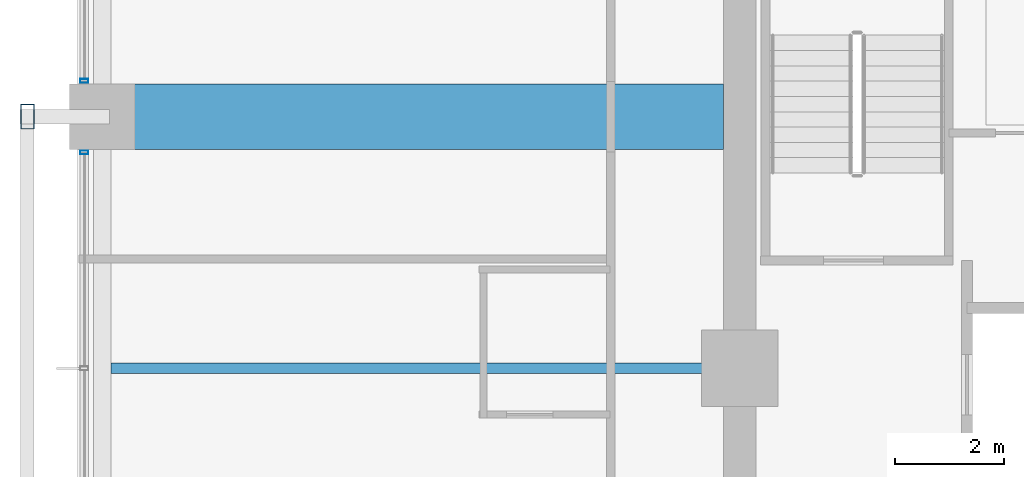
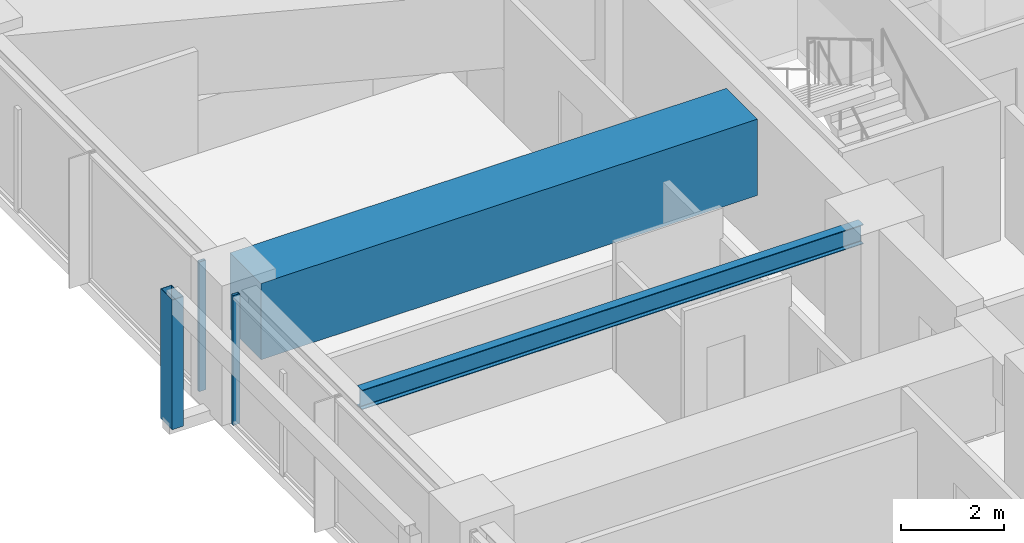
# One storey, part 9 of 37: 3 members, 2 beams, 2 elements without a shape of their own.
"""IFC4 building model written with IfcOpenShell, lengths in metres."""

import ifcopenshell
import ifcopenshell.guid

model = None  # the IFC model being written
_history = None  # IfcOwnerHistory: only IFC2X3 demands one
_inside = {}  # id of a spatial element -> (the spatial element, [elements in it])
_under = {}  # id of a project, library or spatial element -> (it, [spatial elements below it])
_declared = {}  # id of a project -> (the project, [libraries it declares])
_typed = {}  # id of a type object -> (the type object, [elements of that type])
_made_of = {}  # id of a material, layer set ... -> (it, [elements and type objects made of it])


def new_model(schema):
    """Start an empty IFC model of exactly this schema.

    Asked for "IFC4X3", IfcOpenShell would pick the latest addendum, in which some entities
    have other attributes; the version numbers below select the first issue.
    IFC2X3 requires an IfcOwnerHistory on every rooted entity: one is made here for all.
    """
    global model, _history
    if schema == "IFC4X3":
        model = ifcopenshell.file(schema_version=(4, 3, 0, 0))
    else:
        model = ifcopenshell.file(schema=schema)
    _inside.clear()
    _under.clear()
    _declared.clear()
    _typed.clear()
    _made_of.clear()
    _history = None
    if model.schema == "IFC2X3":
        org = make("IfcOrganization", Name="unknown")
        user = make(
            "IfcPersonAndOrganization",
            ThePerson=make("IfcPerson", FamilyName="unknown"),
            TheOrganization=org,
        )
        app = make(
            "IfcApplication",
            ApplicationDeveloper=org,
            Version="unknown",
            ApplicationFullName="unknown",
            ApplicationIdentifier="unknown",
        )
        _history = make(
            "IfcOwnerHistory",
            OwningUser=user,
            OwningApplication=app,
            ChangeAction="ADDED",
            CreationDate=0,
        )
    return model


def make(cls, **values):
    """One entity of the class cls with the attributes given. An attribute that is None is left unset."""
    return model.create_entity(
        cls, **{name: value for name, value in values.items() if value is not None}
    )


def rooted(cls, **values):
    """An entity with a GlobalId (a new one), such as an element, a storey or a relation."""
    return make(cls, GlobalId=ifcopenshell.guid.new(), OwnerHistory=_history, **values)


def si_unit(unit_type, name, prefix=None):
    """IfcSIUnit, for example si_unit("LENGTHUNIT", "METRE", prefix="MILLI")."""
    return make("IfcSIUnit", UnitType=unit_type, Prefix=prefix, Name=name)


def assignment(units):
    """IfcUnitAssignment: the units of a project."""
    return None if units is None else make("IfcUnitAssignment", Units=units)


def point(xyz):
    """IfcCartesianPoint."""
    return None if xyz is None else make("IfcCartesianPoint", Coordinates=xyz)


def direction(xyz):
    """IfcDirection."""
    return None if xyz is None else make("IfcDirection", DirectionRatios=xyz)


def frame(location, z_axis=None, x_axis=None):
    """IfcAxis2Placement3D, a coordinate frame: its origin and axes. An axis left out is left unset."""
    return make(
        "IfcAxis2Placement3D",
        Location=point(location),
        Axis=direction(z_axis),
        RefDirection=direction(x_axis),
    )


def frame_2d(location, x_axis=None):
    """IfcAxis2Placement2D, a coordinate frame in the plane: its origin and x axis."""
    return make(
        "IfcAxis2Placement2D", Location=point(location), RefDirection=direction(x_axis)
    )


def origin():
    """The frame at (0, 0, 0) with its axes left unset."""
    return frame((0.0, 0.0, 0.0))


def origin_2d():
    """The frame at (0, 0) in the plane with its x axis left unset."""
    return frame_2d((0.0, 0.0))


def place(relative_to, where):
    """IfcLocalPlacement: puts the frame where relative to a parent placement (None: the world)."""
    return make(
        "IfcLocalPlacement", PlacementRelTo=relative_to, RelativePlacement=where
    )


def context(
    kind, dimensions, precision=None, world=None, true_north=None, identifier=None
):
    """IfcGeometricRepresentationContext, for example the 3D "Model" context."""
    return make(
        "IfcGeometricRepresentationContext",
        ContextIdentifier=identifier,
        ContextType=kind,
        CoordinateSpaceDimension=dimensions,
        Precision=precision,
        WorldCoordinateSystem=world,
        TrueNorth=true_north,
    )


def subcontext(parent, identifier, kind, view, scale=None):
    """IfcGeometricRepresentationSubContext, for example "Body" below "Model"."""
    return make(
        "IfcGeometricRepresentationSubContext",
        ContextIdentifier=identifier,
        ContextType=kind,
        ParentContext=parent,
        TargetScale=scale,
        TargetView=view,
    )


def project(units=None, contexts=None):
    """IfcProject with its units and contexts."""
    return rooted(
        "IfcProject",
        Name="project",
        RepresentationContexts=contexts,
        UnitsInContext=assignment(units),
    )


def spatial(cls, under=None, at=None, **own):
    """A site, building, storey or space (cls), placed at a placement, below another one or the project."""
    s = rooted(cls, ObjectPlacement=at, **own)
    if under is not None:
        _under.setdefault(under.id(), (under, []))[1].append(s)
    return s


def profile(cls, at=None, kind="AREA", **sizes):
    """A parametric profile (cls). Its sizes go by their IFC names, for example OverallWidth=200.0."""
    return make(cls, ProfileType=kind, Position=at, **sizes)


def rectangle(**sizes):
    """IfcRectangleProfileDef."""
    return profile("IfcRectangleProfileDef", **sizes)


def hollow_rectangle(**sizes):
    """IfcRectangleHollowProfileDef."""
    return profile("IfcRectangleHollowProfileDef", **sizes)


def i_section(**sizes):
    """IfcIShapeProfileDef."""
    return profile("IfcIShapeProfileDef", **sizes)


def extrude(swept, where, along, depth):
    """IfcExtrudedAreaSolid: the profile swept, set in the frame where, extruded along a direction by depth."""
    return make(
        "IfcExtrudedAreaSolid",
        SweptArea=swept,
        Position=where,
        ExtrudedDirection=direction(along),
        Depth=depth,
    )


def shape(context_of_items, identifier, shape_type, items):
    """IfcShapeRepresentation: the items that make up one representation, for example the "Body"."""
    return make(
        "IfcShapeRepresentation",
        ContextOfItems=context_of_items,
        RepresentationIdentifier=identifier,
        RepresentationType=shape_type,
        Items=items,
    )


def material(Name=None, Category=None):
    """IfcMaterial."""
    return make("IfcMaterial", Name=Name, Category=Category)


def material_profile(
    of_material, cross_section, Name=None, Category=None, Priority=None
):
    """IfcMaterialProfile: a cross section and its material."""
    return make(
        "IfcMaterialProfile",
        Name=Name,
        Material=of_material,
        Profile=cross_section,
        Priority=Priority,
        Category=Category,
    )


def profile_set(profiles, Name=None, composite=None):
    """IfcMaterialProfileSet."""
    return make(
        "IfcMaterialProfileSet",
        Name=Name,
        MaterialProfiles=profiles,
        CompositeProfile=composite,
    )


def made_of(thing, what):
    """Note that an element or type object is made of a material, layer set ...; save() writes the relation."""
    if what is not None:
        _made_of.setdefault(what.id(), (what, []))[1].append(thing)
    return thing


def type_object(cls, material=None, **own):
    """A type object (cls), such as IfcWallType, which elements share."""
    return made_of(rooted(cls, **own), material)


def element(
    cls,
    number,
    at=None,
    inside=None,
    cuts=None,
    type_object=None,
    material=None,
    context=None,
    identifier="Body",
    shape_type=None,
    held_by="IfcProductDefinitionShape",
    body=None,
    shapes=None,
    **own,
):
    """One element of the class cls, such as IfcWall. Its Tag is "e" and its number.

    at: its placement. inside: the storey or other place that contains it. cuts: it is an
    opening in that element (IfcRelVoidsElement). A single representation is given by context,
    identifier, shape_type and body (its items); several are given by shapes. held_by: the class
    of the entity that holds the representations. save() writes the other relations.
    """
    e = rooted(cls, Tag="e%d" % number, ObjectPlacement=at, **own)
    if body is not None:
        shapes = [shape(context, identifier, shape_type, body)]
    if shapes is not None:
        e.Representation = make(held_by, Representations=shapes)
    if inside is not None:
        _inside.setdefault(inside.id(), (inside, []))[1].append(e)
    if cuts is not None:
        rooted(
            "IfcRelVoidsElement", RelatingBuildingElement=cuts, RelatedOpeningElement=e
        )
    if type_object is not None:
        _typed.setdefault(type_object.id(), (type_object, []))[1].append(e)
    return made_of(e, material)


def aggregate(whole, parts):
    """IfcRelAggregates: a whole, such as a stair, and the parts it consists of."""
    return rooted("IfcRelAggregates", RelatingObject=whole, RelatedObjects=parts)


def save(model, path):
    """Write the relations noted so far, then the file.

    IfcRelAggregates (storeys below a building ...), IfcRelContainedInSpatialStructure (elements
    in a storey), IfcRelDefinesByType, IfcRelAssociatesMaterial and IfcRelDeclares: one each for
    every whole, place, type object, material and project.
    """
    for whole, parts in _under.values():
        aggregate(whole, parts)
    for where, things in _inside.values():
        rooted(
            "IfcRelContainedInSpatialStructure",
            RelatedElements=things,
            RelatingStructure=where,
        )
    for kind, things in _typed.values():
        rooted("IfcRelDefinesByType", RelatedObjects=things, RelatingType=kind)
    for what, things in _made_of.values():
        rooted("IfcRelAssociatesMaterial", RelatedObjects=things, RelatingMaterial=what)
    for by, libraries in _declared.values():
        rooted("IfcRelDeclares", RelatingContext=by, RelatedDefinitions=libraries)
    model.write(path)


model = new_model("IFC4")

# Units and contexts
model_context = context("Model", 3, precision=1e-05, world=origin(), true_north=direction((0.0, 1.0)))
body_context = subcontext(model_context, "Body", "Model", "MODEL_VIEW")
ifc_project = project(units=[si_unit("LENGTHUNIT", "METRE"), si_unit("AREAUNIT", "SQUARE_METRE"), si_unit("VOLUMEUNIT", "CUBIC_METRE"), si_unit("PLANEANGLEUNIT", "RADIAN"), si_unit("MASSUNIT", "GRAM", prefix="KILO")], contexts=[model_context])

# Site, building, storey
site_placement = place(None, origin())
site = spatial("IfcSite", under=ifc_project, at=site_placement, CompositionType="ELEMENT")
building_placement = place(site_placement, origin())
building = spatial("IfcBuilding", under=site, at=building_placement, Name="Kolvaren Belvedere", CompositionType="ELEMENT")
storey_placement = place(building_placement, frame((0.0, 0.0, 56.800048828125)))
storey = spatial("IfcBuildingStorey", under=building, at=storey_placement, Name="L16", CompositionType="ELEMENT", Elevation=56.800048828125)

# Beams
ifc_material_1 = material(Name="Structural steel ASTM A992 Grade 50", Category="steel")
ifc_material_profile_1 = material_profile(ifc_material_1, i_section(OverallWidth=0.19091796875, OverallDepth=0.4599609375, WebThickness=0.010009765625, FlangeThickness=0.01611328125, FilletRadius=0.014892578125, at=origin_2d()), Name="W18X55")
ifc_profile_set_1 = profile_set([ifc_material_profile_1], Name="Structural steel ASTM A992 Grade 50")
beam_type_1 = type_object("IfcBeamType", Name="BM-JOIST-W18X55", PredefinedType="BEAM", material=ifc_profile_set_1)
beam_1_placement = place(storey_placement, frame((-10.199951171875, 0.0, 2.829833984375), z_axis=(-1.0, 0.0, 0.0), x_axis=(0.0, -1.0, 0.0)))
element("IfcBeam", 1, at=beam_1_placement, inside=storey, type_object=beam_type_1, Name="L16 West Centre Floor Beam", PredefinedType="BEAM", context=body_context, shape_type="SweptSolid", body=[
    extrude(i_section(OverallWidth=0.19091796875, OverallDepth=0.4599609375, WebThickness=0.010009765625, FlangeThickness=0.01611328125, FilletRadius=0.014892578125, at=origin_2d()), origin(), (0.0, 0.0, 1.0), 11.1875),
])
ifc_material_2 = material(Name="Concrete C50/60", Category="concrete")
ifc_material_profile_2 = material_profile(ifc_material_2, rectangle(XDim=1.199951171875, YDim=1.800048828125, at=origin_2d()), Name="RC 1200X1800")
ifc_profile_set_2 = profile_set([ifc_material_profile_2], Name="Concrete C50/60")
beam_type_2 = type_object("IfcBeamType", Name="BM-TG-1800", PredefinedType="BEAM", material=ifc_profile_set_2)
beam_2_placement = place(storey_placement, frame((-10.199951171875, 4.60009765625, 2.159912109375), z_axis=(-1.0, 0.0, 0.0), x_axis=(0.0, -1.0, 0.0)))
element("IfcBeam", 2, at=beam_2_placement, inside=storey, type_object=beam_type_2, Name="L16 West Radial Girder P", PredefinedType="BEAM", context=body_context, shape_type="SweptSolid", body=[
    extrude(rectangle(XDim=1.199951171875, YDim=1.800048828125, at=origin_2d()), origin(), (0.0, 0.0, 1.0), 11.080078125),
])

# Curtain wall, member
ifc_material_3 = material(Name="Anodised pale-metal aluminium AA 6063-T6", Category="aluminium")
curtain_wall_type = type_object("IfcCurtainWallType", Name="CW-Z1-LOW", PredefinedType="NOTDEFINED", material=ifc_material_3)
curtain_wall_1_placement = place(storey_placement, origin())
curtain_wall_1 = element("IfcCurtainWall", 3, at=curtain_wall_1_placement, inside=storey, type_object=curtain_wall_type, Name="L16 Unitised Curtain Wall FCW-L16-W-B2", PredefinedType="NOTDEFINED")
ifc_material_4 = material(Name="Anodised pale-metal aluminium AA 6063-T6", Category="aluminium")
ifc_material_profile_3 = material_profile(ifc_material_4, hollow_rectangle(XDim=0.070068359375, YDim=0.14990234375, WallThickness=0.004150390625, at=origin_2d()), Name="ALU-MUL-150X70")
ifc_profile_set_3 = profile_set([ifc_material_profile_3], Name="Anodised pale-metal aluminium AA 6063-T6")
member_type_1 = type_object("IfcMemberType", Name="CW-MUL-150", PredefinedType="MULLION", material=ifc_profile_set_3)
member_1_placement = place(storey_placement, frame((-21.8798828125, 3.945068359375, 0.0), z_axis=(0.0, 0.0, 1.0), x_axis=(0.0, 1.0, 0.0)))
member_1 = element("IfcMember", 4, at=member_1_placement, type_object=member_type_1, Name="FCW-L16-W-B2 Unitised Mullion 3", PredefinedType="MULLION", context=body_context, shape_type="SweptSolid", body=[
    extrude(hollow_rectangle(XDim=0.070068359375, YDim=0.14990234375, WallThickness=0.004150390625, at=origin_2d()), origin(), (0.0, 0.0, 1.0), 3.06005859375),
])
aggregate(curtain_wall_1, [member_1])

curtain_wall_2_placement = place(storey_placement, origin())
curtain_wall_2 = element("IfcCurtainWall", 5, at=curtain_wall_2_placement, inside=storey, type_object=curtain_wall_type, Name="L16 Unitised Curtain Wall FCW-L16-W-B3", PredefinedType="NOTDEFINED")
member_2_placement = place(storey_placement, frame((-21.8798828125, 5.2548828125, 0.0), z_axis=(0.0, 0.0, 1.0), x_axis=(0.0, 1.0, 0.0)))
member_2 = element("IfcMember", 6, at=member_2_placement, type_object=member_type_1, Name="FCW-L16-W-B3 Unitised Mullion 1", PredefinedType="MULLION", context=body_context, shape_type="SweptSolid", body=[
    extrude(hollow_rectangle(XDim=0.070068359375, YDim=0.14990234375, WallThickness=0.004150390625, at=origin_2d()), origin(), (0.0, 0.0, 1.0), 3.06005859375),
])
aggregate(curtain_wall_2, [member_2])

# Member
ifc_material_5 = material(Name="Anodised pale-metal aluminium AA 6063-T6", Category="aluminium")
ifc_material_profile_4 = material_profile(ifc_material_5, hollow_rectangle(XDim=0.25, YDim=0.449951171875, WallThickness=0.008544921875, at=origin_2d()), Name="ALU-PF-450X250")
ifc_profile_set_4 = profile_set([ifc_material_profile_4], Name="Anodised pale-metal aluminium AA 6063-T6")
member_type_2 = type_object("IfcMemberType", Name="PF-FRAME-450", PredefinedType="USERDEFINED", material=ifc_profile_set_4)
member_3_placement = place(storey_placement, frame((-22.919921875, 4.60009765625, 0.0), z_axis=(0.0, 0.0, 1.0), x_axis=(1.0, 0.0, 0.0)))
element("IfcMember", 7, at=member_3_placement, inside=storey, type_object=member_type_2, Name="L16 Outboard Picture-Frame Vertical W2", ObjectType="PICTURE FRAME FIN", PredefinedType="USERDEFINED", context=body_context, shape_type="SweptSolid", body=[
    extrude(hollow_rectangle(XDim=0.25, YDim=0.449951171875, WallThickness=0.008544921875, at=origin_2d()), origin(), (0.0, 0.0, 1.0), 3.06005859375),
])

save(model, "model.ifc")
